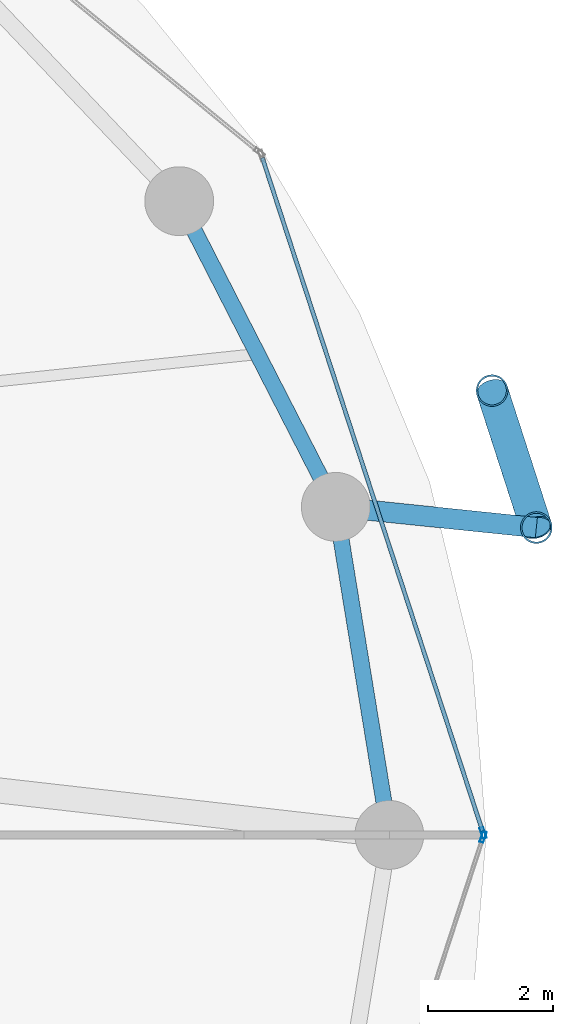
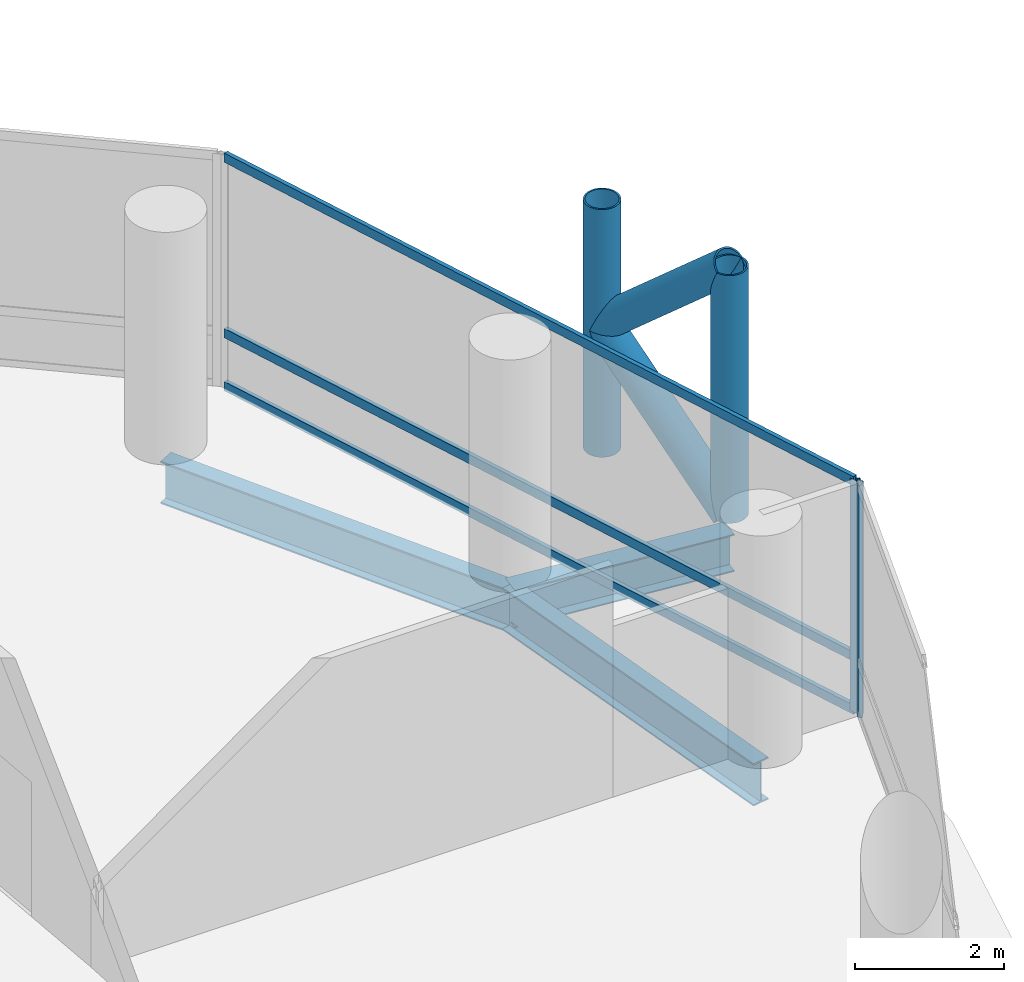
# One storey, part 12 of 24: 9 members, 3 beams, 2 elements without a shape of their own.
"""IFC4 building model written with IfcOpenShell, lengths in metres."""

from ifc_helpers import new_model, si_unit, direction, frame, origin, origin_2d, place, context, subcontext, project, spatial, hollow_rectangle, hollow_circle, i_section, extrude, material, layer, layer_set, material_profile, profile_set, type_object, element, aggregate, save


model = new_model("IFC4")

# Units and contexts
model_context = context("Model", 3, precision=1e-05, world=origin(), true_north=direction((0.0, 1.0)))
body_context = subcontext(model_context, "Body", "Model", "MODEL_VIEW")
ifc_project = project(units=[si_unit("LENGTHUNIT", "METRE"), si_unit("AREAUNIT", "SQUARE_METRE"), si_unit("VOLUMEUNIT", "CUBIC_METRE"), si_unit("PLANEANGLEUNIT", "RADIAN"), si_unit("MASSUNIT", "GRAM", prefix="KILO")], contexts=[model_context])

# Site, building, storey
site_placement = place(None, origin())
site = spatial("IfcSite", under=ifc_project, at=site_placement, CompositionType="ELEMENT")
building_placement = place(site_placement, origin())
building = spatial("IfcBuilding", under=site, at=building_placement, Name="Nuhasar Tower", CompositionType="ELEMENT")
storey_placement = place(building_placement, frame((0.0, 0.0, 89.85009765625)))
storey = spatial("IfcBuildingStorey", under=building, at=storey_placement, Name="L21", CompositionType="ELEMENT", Elevation=89.85009765625)

# Beams
ifc_material_1 = material(Name="Steel S355", Category="steel")
ifc_material_profile_1 = material_profile(ifc_material_1, i_section(OverallWidth=0.256103515625, OverallDepth=0.693115234375, WebThickness=0.014404296875, FlangeThickness=0.023681640625, at=origin_2d()), Name="W27X114")
ifc_profile_set_1 = profile_set([ifc_material_profile_1], Name="Steel S355")
beam_type_1 = type_object("IfcBeamType", Name="BM-RING-W27X114", PredefinedType="SPANDREL", material=ifc_profile_set_1)
beam_1_placement = place(storey_placement, frame((64.050048828125, 26.800048828125, -0.59716796875), z_axis=(-0.160826635486, 0.986982671235, 0.0), x_axis=(-0.986982671235, -0.160826635486, 0.0)))
element("IfcBeam", 1, at=beam_1_placement, inside=storey, type_object=beam_type_1, Name="L21 Perimeter Ring Spandrel 01", PredefinedType="SPANDREL", context=body_context, shape_type="SweptSolid", body=[
    extrude(i_section(OverallWidth=0.256103515625, OverallDepth=0.693115234375, WebThickness=0.014404296875, FlangeThickness=0.023681640625, at=origin_2d()), origin(), (0.0, 0.0, 1.0), 5.31005859375),
])
beam_2_placement = place(storey_placement, frame((63.196044921875, 32.041015625, -0.59716796875), z_axis=(-0.455930023905, 0.890015625314, 0.0), x_axis=(-0.890015625314, -0.455930023905, 0.0)))
element("IfcBeam", 2, at=beam_2_placement, inside=storey, type_object=beam_type_1, Name="L21 Perimeter Ring Spandrel 02", PredefinedType="SPANDREL", context=body_context, shape_type="SweptSolid", body=[
    extrude(i_section(OverallWidth=0.256103515625, OverallDepth=0.693115234375, WebThickness=0.014404296875, FlangeThickness=0.023681640625, at=origin_2d()), origin(), (0.0, 0.0, 1.0), 5.487548828125),
])
ifc_material_profile_2 = material_profile(ifc_material_1, i_section(OverallWidth=0.323974609375, OverallDepth=0.611083984375, WebThickness=0.0126953125, FlangeThickness=0.01904296875, at=origin_2d()), Name="W24X104")
ifc_profile_set_2 = profile_set([ifc_material_profile_2], Name="Steel S355")
beam_type_2 = type_object("IfcBeamType", Name="BM-TIE-W24X104", PredefinedType="BEAM", material=ifc_profile_set_2)
beam_3_placement = place(storey_placement, frame((63.196044921875, 32.041015625, -0.55615234375), z_axis=(0.994703825606, -0.102782777377, 0.0), x_axis=(0.102782777377, 0.994703825606, 0.0)))
element("IfcBeam", 3, at=beam_3_placement, inside=storey, type_object=beam_type_2, Name="L21 Exoskeleton Node Tie Beam 01", PredefinedType="BEAM", context=body_context, shape_type="SweptSolid", body=[
    extrude(i_section(OverallWidth=0.323974609375, OverallDepth=0.611083984375, WebThickness=0.0126953125, FlangeThickness=0.01904296875, at=origin_2d()), origin(), (0.0, 0.0, 1.0), 3.220947265625),
])

# Curtain wall, member
ifc_material_2 = material(Name="Aluminium 6063-T6", Category="aluminium")
ifc_layer = layer(ifc_material_2, 0.199951171875)
ifc_layer_set = layer_set([ifc_layer], Name="Aluminium 6063-T6")
curtain_wall_type = type_object("IfcCurtainWallType", Name="CW-Z1-OFF", PredefinedType="NOTDEFINED", material=ifc_layer_set)
curtain_wall_1_placement = place(storey_placement, origin())
curtain_wall_1 = element("IfcCurtainWall", 4, at=curtain_wall_1_placement, inside=storey, type_object=curtain_wall_type, Name="L21 Unitised Curtain Wall 01", PredefinedType="NOTDEFINED")
ifc_material_profile_3 = material_profile(ifc_material_2, hollow_rectangle(XDim=0.06494140625, YDim=0.179931640625, WallThickness=0.0048828125, at=origin_2d()), Name="CWM-2")
ifc_profile_set_3 = profile_set([ifc_material_profile_3], Name="Aluminium 6063-T6")
member_type_1 = type_object("IfcMemberType", Name="CW-MUL-S2", PredefinedType="MULLION", material=ifc_profile_set_3)
member_1_placement = place(storey_placement, frame((65.5498046875, 26.830810546875, 0.0), z_axis=(0.0, 0.0, 1.0), x_axis=(-0.950467534571, -0.310823849997, 0.0)))
member_1 = element("IfcMember", 5, at=member_1_placement, type_object=member_type_1, Name="CW-Z1 mullion 1", PredefinedType="MULLION", context=body_context, shape_type="SweptSolid", body=[
    extrude(hollow_rectangle(XDim=0.06494140625, YDim=0.179931640625, WallThickness=0.0048828125, at=origin_2d()), origin(), (0.0, 0.0, 1.0), 3.7998046875),
])

curtain_wall_2_placement = place(storey_placement, origin())
curtain_wall_2 = element("IfcCurtainWall", 6, at=curtain_wall_2_placement, inside=storey, type_object=curtain_wall_type, Name="L21 Unitised Curtain Wall 12", PredefinedType="NOTDEFINED")
member_2_placement = place(storey_placement, frame((65.5498046875, 26.76904296875, 0.0), z_axis=(0.0, 0.0, 1.0), x_axis=(-0.950467534571, 0.310823849997, 0.0)))
member_2 = element("IfcMember", 7, at=member_2_placement, type_object=member_type_1, Name="CW-Z1 mullion 2", PredefinedType="MULLION", context=body_context, shape_type="SweptSolid", body=[
    extrude(hollow_rectangle(XDim=0.06494140625, YDim=0.179931640625, WallThickness=0.0048828125, at=origin_2d()), origin(), (0.0, 0.0, 1.0), 3.7998046875),
])
aggregate(curtain_wall_2, [member_2])

# Member
ifc_material_profile_4 = material_profile(ifc_material_2, hollow_rectangle(XDim=0.06494140625, YDim=0.14990234375, WallThickness=0.00439453125, at=origin_2d()), Name="CWT-2")
ifc_profile_set_4 = profile_set([ifc_material_profile_4], Name="Aluminium 6063-T6")
member_type_2 = type_object("IfcMemberType", Name="CW-TRN-S2", PredefinedType="USERDEFINED", material=ifc_profile_set_4)
member_3_placement = place(storey_placement, frame((65.539794921875, 26.86181640625, 0.032470703125), z_axis=(-0.31082506089, 0.950467138581, 0.0), x_axis=(-0.950467138581, -0.31082506089, 0.0)))
member_3 = element("IfcMember", 8, at=member_3_placement, type_object=member_type_2, Name="CW-Z1 transom 1.1", ObjectType="TRANSOM", PredefinedType="USERDEFINED", context=body_context, shape_type="SweptSolid", body=[
    extrude(hollow_rectangle(XDim=0.06494140625, YDim=0.14990234375, WallThickness=0.00439453125, at=origin_2d()), origin(), (0.0, 0.0, 1.0), 11.31689453125),
])

member_4_placement = place(storey_placement, frame((65.539794921875, 26.86181640625, 0.89990234375), z_axis=(-0.31082506089, 0.950467138581, 0.0), x_axis=(-0.950467138581, -0.31082506089, 0.0)))
member_4 = element("IfcMember", 9, at=member_4_placement, type_object=member_type_2, Name="CW-Z1 transom 1.2", ObjectType="TRANSOM", PredefinedType="USERDEFINED", context=body_context, shape_type="SweptSolid", body=[
    extrude(hollow_rectangle(XDim=0.06494140625, YDim=0.14990234375, WallThickness=0.00439453125, at=origin_2d()), origin(), (0.0, 0.0, 1.0), 11.31689453125),
])

member_5_placement = place(storey_placement, frame((65.539794921875, 26.86181640625, 3.767333984375), z_axis=(-0.31082506089, 0.950467138581, 0.0), x_axis=(-0.950467138581, -0.31082506089, 0.0)))
member_5 = element("IfcMember", 10, at=member_5_placement, type_object=member_type_2, Name="CW-Z1 transom 1.3", ObjectType="TRANSOM", PredefinedType="USERDEFINED", context=body_context, shape_type="SweptSolid", body=[
    extrude(hollow_rectangle(XDim=0.06494140625, YDim=0.14990234375, WallThickness=0.00439453125, at=origin_2d()), origin(), (0.0, 0.0, 1.0), 11.31689453125),
])

aggregate(curtain_wall_1, [member_1, member_3, member_4, member_5])

# Members
ifc_material_3 = material(Name="Steel S460", Category="steel")
ifc_material_profile_5 = material_profile(ifc_material_3, hollow_circle(Radius=0.25390625, WallThickness=0.025390625, at=origin_2d()), Name="HSS508X25.4")
ifc_profile_set_5 = profile_set([ifc_material_profile_5], Name="Steel S460")
member_type_3 = type_object("IfcMemberType", Name="EXO-BRONZE-508", PredefinedType="BRACE", material=ifc_profile_set_5)
for number, where, z_axis, x_axis, name in (
    (11, (66.39990234375, 31.7099609375, 0.0), (0.0, 0.0, 1.0), (1.0, 0.0, 0.0), "L21 Exoskeleton Chord Column EC-01A"),
    (12, (65.69189453125, 33.89892578125, 0.0), (0.0, 0.0, 1.0), (1.0, 0.0, 0.0), "L21 Exoskeleton Chord Column EC-01B"),
):
    element("IfcMember", number, at=place(storey_placement, frame(where, z_axis=z_axis, x_axis=x_axis)), inside=storey, type_object=member_type_3, Name=name, PredefinedType="BRACE", context=body_context, shape_type="SweptSolid", body=[
        extrude(hollow_circle(Radius=0.25390625, WallThickness=0.025390625, at=origin_2d()), origin(), (0.0, 0.0, 1.0), 4.0498046875),
    ])
for number, where, z_axis, x_axis, name in (
    (13, (66.39990234375, 31.7099609375, 0.0), (-0.231011836313, 0.714224870475, 0.660693851854), (-0.951468282519, -0.307746823478, 0.0), "L21 Bronze Diagrid Brace W1-01"),
    (14, (65.69189453125, 33.89892578125, 2.02490234375), (0.231011836313, -0.714224870475, 0.660693851854), (0.951468282519, 0.307746823478, 0.0), "L21 Bronze Diagrid Brace W2-01"),
):
    element("IfcMember", number, at=place(storey_placement, frame(where, z_axis=z_axis, x_axis=x_axis)), inside=storey, type_object=member_type_3, Name=name, PredefinedType="BRACE", context=body_context, shape_type="SweptSolid", body=[
        extrude(hollow_circle(Radius=0.25390625, WallThickness=0.025390625, at=origin_2d()), origin(), (0.0, 0.0, 1.0), 3.064697265625),
    ])

save(model, "model.ifc")
